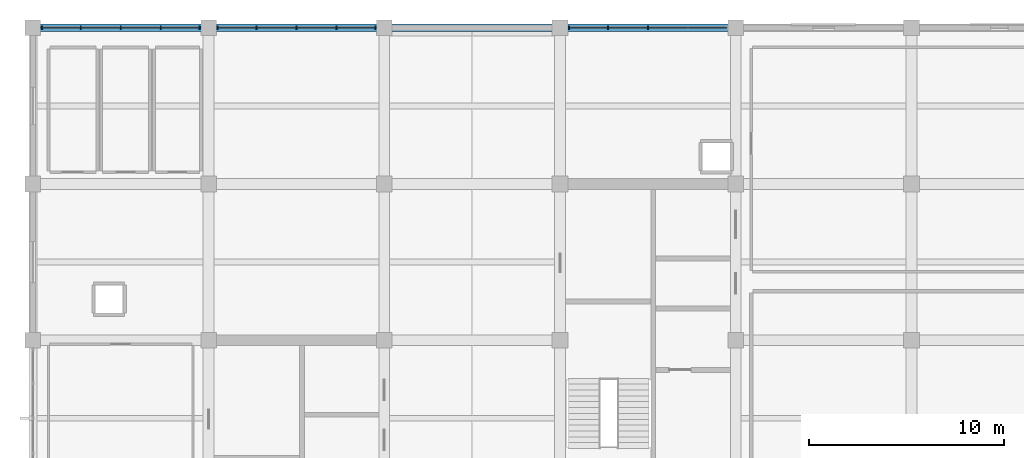
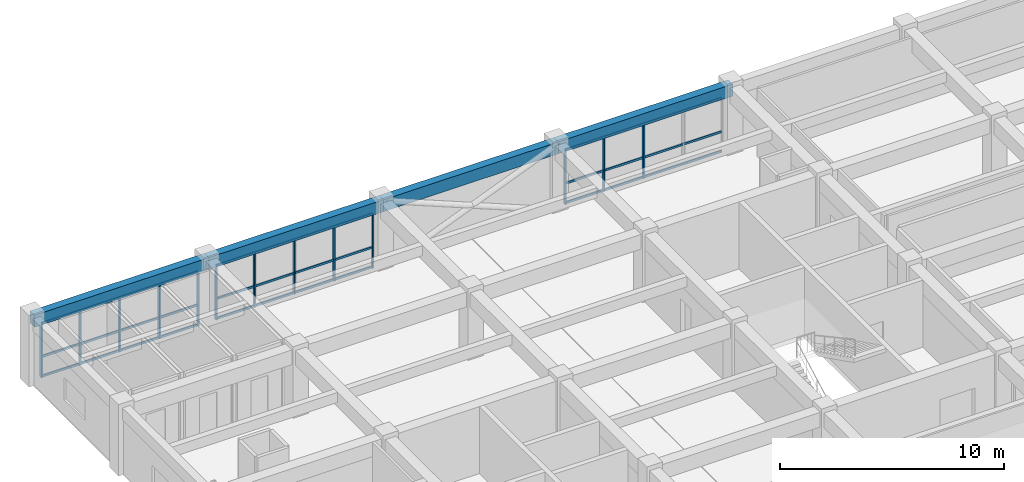
# One storey, part 9 of 16: 22 members, 4 beams, 3 elements without a shape of their own.
"""IFC4 building model written with IfcOpenShell, lengths in metres."""

from ifc_helpers import new_model, si_unit, direction, frame, origin, origin_2d, place, context, subcontext, project, spatial, rectangle, extrude, material, material_profile, profile_set, type_object, element, aggregate, save


model = new_model("IFC4")

# Units and contexts
model_context = context("Model", 3, precision=1e-05, world=origin(), true_north=direction((0.0, 1.0)))
body_context = subcontext(model_context, "Body", "Model", "MODEL_VIEW")
ifc_project = project(units=[si_unit("LENGTHUNIT", "METRE"), si_unit("AREAUNIT", "SQUARE_METRE"), si_unit("VOLUMEUNIT", "CUBIC_METRE"), si_unit("PLANEANGLEUNIT", "RADIAN"), si_unit("MASSUNIT", "GRAM", prefix="KILO")], contexts=[model_context])

# Site, building, storey
site_placement = place(None, origin())
site = spatial("IfcSite", under=ifc_project, at=site_placement, CompositionType="ELEMENT")
building_placement = place(site_placement, origin())
building = spatial("IfcBuilding", under=site, at=building_placement, Name="Zaverband Oceanarium and Marine Research Institute", CompositionType="ELEMENT")
storey_placement = place(building_placement, frame((0.0, 0.0, 37.5)))
storey = spatial("IfcBuildingStorey", under=building, at=storey_placement, Name="L09", CompositionType="ELEMENT", Elevation=37.5)

# Curtain wall, members
ifc_material_1 = material(Name="Thermally broken anodized aluminium and solar-control glass", Category="aluminium")
curtain_wall_type = type_object("IfcCurtainWallType", Name="CW-UNIT-1800", PredefinedType="NOTDEFINED", material=ifc_material_1)
curtain_wall_1_placement = place(storey_placement, origin())
curtain_wall_1 = element("IfcCurtainWall", 1, at=curtain_wall_1_placement, inside=storey, type_object=curtain_wall_type, Name="Unitised glazed curtain wall CW-106", PredefinedType="NOTDEFINED")
ifc_material_2 = material(Name="Thermally broken anodized aluminium", Category="aluminium")
ifc_material_profile_1 = material_profile(ifc_material_2, rectangle(XDim=0.070068359375, YDim=0.14990234375, at=origin_2d()), Name="AL-MUL-70x150")
ifc_profile_set_1 = profile_set([ifc_material_profile_1], Name="Thermally broken anodized aluminium")
member_type_1 = type_object("IfcMemberType", Name="MUL-70x150", PredefinedType="MULLION", material=ifc_profile_set_1)
member_1_placement = place(storey_placement, frame((9.465087890625, 112.0, 0.0), z_axis=(0.0, 0.0, 1.0), x_axis=(1.0, 0.0, 0.0)))
member_1 = element("IfcMember", 2, at=member_1_placement, type_object=member_type_1, Name="Curtain wall vertical mullion MUL-70x150", PredefinedType="MULLION", context=body_context, shape_type="SweptSolid", body=[
    extrude(rectangle(XDim=0.070068359375, YDim=0.14990234375, at=origin_2d()), origin(), (0.0, 0.0, 1.0), 2.97998046875),
])
member_2_placement = place(storey_placement, frame((11.452392578125, 112.0, 0.0), z_axis=(0.0, 0.0, 1.0), x_axis=(1.0, 0.0, 0.0)))
member_2 = element("IfcMember", 3, at=member_2_placement, type_object=member_type_1, Name="Curtain wall vertical mullion MUL-70x150", PredefinedType="MULLION", context=body_context, shape_type="SweptSolid", body=[
    extrude(rectangle(XDim=0.070068359375, YDim=0.14990234375, at=origin_2d()), origin(), (0.0, 0.0, 1.0), 2.97998046875),
])
member_3_placement = place(storey_placement, frame((13.5, 112.0, 0.0), z_axis=(0.0, 0.0, 1.0), x_axis=(1.0, 0.0, 0.0)))
member_3 = element("IfcMember", 4, at=member_3_placement, type_object=member_type_1, Name="Curtain wall vertical mullion MUL-70x150", PredefinedType="MULLION", context=body_context, shape_type="SweptSolid", body=[
    extrude(rectangle(XDim=0.070068359375, YDim=0.14990234375, at=origin_2d()), origin(), (0.0, 0.0, 1.0), 2.97998046875),
])
member_4_placement = place(storey_placement, frame((15.547607421875, 112.0, 0.0), z_axis=(0.0, 0.0, 1.0), x_axis=(1.0, 0.0, 0.0)))
member_4 = element("IfcMember", 5, at=member_4_placement, type_object=member_type_1, Name="Curtain wall vertical mullion MUL-70x150", PredefinedType="MULLION", context=body_context, shape_type="SweptSolid", body=[
    extrude(rectangle(XDim=0.070068359375, YDim=0.14990234375, at=origin_2d()), origin(), (0.0, 0.0, 1.0), 2.97998046875),
])
member_5_placement = place(storey_placement, frame((17.534912109375, 112.0, 0.0), z_axis=(0.0, 0.0, 1.0), x_axis=(1.0, 0.0, 0.0)))
member_5 = element("IfcMember", 6, at=member_5_placement, type_object=member_type_1, Name="Curtain wall vertical mullion MUL-70x150", PredefinedType="MULLION", context=body_context, shape_type="SweptSolid", body=[
    extrude(rectangle(XDim=0.070068359375, YDim=0.14990234375, at=origin_2d()), origin(), (0.0, 0.0, 1.0), 2.97998046875),
])

curtain_wall_2_placement = place(storey_placement, origin())
curtain_wall_2 = element("IfcCurtainWall", 7, at=curtain_wall_2_placement, inside=storey, type_object=curtain_wall_type, Name="Unitised glazed curtain wall CW-107", PredefinedType="NOTDEFINED")
member_6_placement = place(storey_placement, frame((18.465087890625, 112.0, 0.0), z_axis=(0.0, 0.0, 1.0), x_axis=(1.0, 0.0, 0.0)))
member_6 = element("IfcMember", 8, at=member_6_placement, type_object=member_type_1, Name="Curtain wall vertical mullion MUL-70x150", PredefinedType="MULLION", context=body_context, shape_type="SweptSolid", body=[
    extrude(rectangle(XDim=0.070068359375, YDim=0.14990234375, at=origin_2d()), origin(), (0.0, 0.0, 1.0), 2.97998046875),
])
member_7_placement = place(storey_placement, frame((20.452392578125, 112.0, 0.0), z_axis=(0.0, 0.0, 1.0), x_axis=(1.0, 0.0, 0.0)))
member_7 = element("IfcMember", 9, at=member_7_placement, type_object=member_type_1, Name="Curtain wall vertical mullion MUL-70x150", PredefinedType="MULLION", context=body_context, shape_type="SweptSolid", body=[
    extrude(rectangle(XDim=0.070068359375, YDim=0.14990234375, at=origin_2d()), origin(), (0.0, 0.0, 1.0), 2.97998046875),
])
member_8_placement = place(storey_placement, frame((22.5, 112.0, 0.0), z_axis=(0.0, 0.0, 1.0), x_axis=(1.0, 0.0, 0.0)))
member_8 = element("IfcMember", 10, at=member_8_placement, type_object=member_type_1, Name="Curtain wall vertical mullion MUL-70x150", PredefinedType="MULLION", context=body_context, shape_type="SweptSolid", body=[
    extrude(rectangle(XDim=0.070068359375, YDim=0.14990234375, at=origin_2d()), origin(), (0.0, 0.0, 1.0), 2.97998046875),
])
member_9_placement = place(storey_placement, frame((24.547607421875, 112.0, 0.0), z_axis=(0.0, 0.0, 1.0), x_axis=(1.0, 0.0, 0.0)))
member_9 = element("IfcMember", 11, at=member_9_placement, type_object=member_type_1, Name="Curtain wall vertical mullion MUL-70x150", PredefinedType="MULLION", context=body_context, shape_type="SweptSolid", body=[
    extrude(rectangle(XDim=0.070068359375, YDim=0.14990234375, at=origin_2d()), origin(), (0.0, 0.0, 1.0), 2.97998046875),
])
member_10_placement = place(storey_placement, frame((26.534912109375, 112.0, 0.0), z_axis=(0.0, 0.0, 1.0), x_axis=(1.0, 0.0, 0.0)))
member_10 = element("IfcMember", 12, at=member_10_placement, type_object=member_type_1, Name="Curtain wall vertical mullion MUL-70x150", PredefinedType="MULLION", context=body_context, shape_type="SweptSolid", body=[
    extrude(rectangle(XDim=0.070068359375, YDim=0.14990234375, at=origin_2d()), origin(), (0.0, 0.0, 1.0), 2.97998046875),
])

curtain_wall_3_placement = place(storey_placement, origin())
curtain_wall_3 = element("IfcCurtainWall", 13, at=curtain_wall_3_placement, inside=storey, type_object=curtain_wall_type, Name="Unitised glazed curtain wall CW-108", PredefinedType="NOTDEFINED")
member_11_placement = place(storey_placement, frame((36.465087890625, 112.0, 0.0), z_axis=(0.0, 0.0, 1.0), x_axis=(1.0, 0.0, 0.0)))
member_11 = element("IfcMember", 14, at=member_11_placement, type_object=member_type_1, Name="Curtain wall vertical mullion MUL-70x150", PredefinedType="MULLION", context=body_context, shape_type="SweptSolid", body=[
    extrude(rectangle(XDim=0.070068359375, YDim=0.14990234375, at=origin_2d()), origin(), (0.0, 0.0, 1.0), 2.97998046875),
])
member_12_placement = place(storey_placement, frame((38.452392578125, 112.0, 0.0), z_axis=(0.0, 0.0, 1.0), x_axis=(1.0, 0.0, 0.0)))
member_12 = element("IfcMember", 15, at=member_12_placement, type_object=member_type_1, Name="Curtain wall vertical mullion MUL-70x150", PredefinedType="MULLION", context=body_context, shape_type="SweptSolid", body=[
    extrude(rectangle(XDim=0.070068359375, YDim=0.14990234375, at=origin_2d()), origin(), (0.0, 0.0, 1.0), 2.97998046875),
])
member_13_placement = place(storey_placement, frame((40.5, 112.0, 0.0), z_axis=(0.0, 0.0, 1.0), x_axis=(1.0, 0.0, 0.0)))
member_13 = element("IfcMember", 16, at=member_13_placement, type_object=member_type_1, Name="Curtain wall vertical mullion MUL-70x150", PredefinedType="MULLION", context=body_context, shape_type="SweptSolid", body=[
    extrude(rectangle(XDim=0.070068359375, YDim=0.14990234375, at=origin_2d()), origin(), (0.0, 0.0, 1.0), 2.97998046875),
])

# Beams
ifc_material_3 = material(Name="Concrete C40/50", Category="concrete")
ifc_material_profile_2 = material_profile(ifc_material_3, rectangle(XDim=0.39990234375, YDim=0.64990234375, at=origin_2d()), Name="RC400x650")
ifc_profile_set_2 = profile_set([ifc_material_profile_2], Name="Concrete C40/50")
beam_type = type_object("IfcBeamType", Name="SPN-400x650", PredefinedType="SPANDREL", material=ifc_profile_set_2)
for number, where, z_axis, x_axis, name in (
    (17, (9.0, 112.0, 3.324951171875), (1.0, 0.0, 0.0), (0.0, 1.0, 0.0), "Perimeter spandrel beam SPN-400x650"),
    (18, (18.0, 112.0, 3.324951171875), (1.0, 0.0, 0.0), (0.0, 1.0, 0.0), "Perimeter spandrel beam SPN-400x650"),
    (19, (27.0, 112.0, 3.324951171875), (1.0, 0.0, 0.0), (0.0, 1.0, 0.0), "Perimeter spandrel beam SPN-400x650"),
    (20, (36.0, 112.0, 3.324951171875), (1.0, 0.0, 0.0), (0.0, 1.0, 0.0), "Perimeter spandrel beam SPN-400x650"),
):
    element("IfcBeam", number, at=place(storey_placement, frame(where, z_axis=z_axis, x_axis=x_axis)), inside=storey, type_object=beam_type, Name=name, PredefinedType="SPANDREL", context=body_context, shape_type="SweptSolid", body=[
        extrude(rectangle(XDim=0.39990234375, YDim=0.64990234375, at=origin_2d()), origin(), (0.0, 0.0, 1.0), 9.0),
    ])

# Member
ifc_material_profile_3 = material_profile(ifc_material_2, rectangle(XDim=0.070068359375, YDim=0.114990234375, at=origin_2d()), Name="AL-TRN-70x115")
ifc_profile_set_3 = profile_set([ifc_material_profile_3], Name="Thermally broken anodized aluminium")
member_type_2 = type_object("IfcMemberType", Name="TRN-70x115", PredefinedType="USERDEFINED", material=ifc_profile_set_3)
member_14_placement = place(storey_placement, frame((9.465087890625, 112.0, 0.050048828125), z_axis=(1.0, 0.0, 0.0), x_axis=(0.0, 1.0, 0.0)))
member_14 = element("IfcMember", 21, at=member_14_placement, type_object=member_type_2, Name="Curtain wall horizontal transom TRN-70x115", ObjectType="TRANSOM", PredefinedType="USERDEFINED", context=body_context, shape_type="SweptSolid", body=[
    extrude(rectangle(XDim=0.070068359375, YDim=0.114990234375, at=origin_2d()), origin(), (0.0, 0.0, 1.0), 8.06982421875),
])

member_15_placement = place(storey_placement, frame((9.465087890625, 112.0, 1.123046875), z_axis=(1.0, 0.0, 0.0), x_axis=(0.0, 1.0, 0.0)))
member_15 = element("IfcMember", 22, at=member_15_placement, type_object=member_type_2, Name="Curtain wall horizontal transom TRN-70x115", ObjectType="TRANSOM", PredefinedType="USERDEFINED", context=body_context, shape_type="SweptSolid", body=[
    extrude(rectangle(XDim=0.070068359375, YDim=0.114990234375, at=origin_2d()), origin(), (0.0, 0.0, 1.0), 8.06982421875),
])

member_16_placement = place(storey_placement, frame((9.465087890625, 112.0, 2.929931640625), z_axis=(1.0, 0.0, 0.0), x_axis=(0.0, 1.0, 0.0)))
member_16 = element("IfcMember", 23, at=member_16_placement, type_object=member_type_2, Name="Curtain wall horizontal transom TRN-70x115", ObjectType="TRANSOM", PredefinedType="USERDEFINED", context=body_context, shape_type="SweptSolid", body=[
    extrude(rectangle(XDim=0.070068359375, YDim=0.114990234375, at=origin_2d()), origin(), (0.0, 0.0, 1.0), 8.06982421875),
])

aggregate(curtain_wall_1, [member_1, member_2, member_3, member_4, member_5, member_14, member_15, member_16])

member_17_placement = place(storey_placement, frame((18.465087890625, 112.0, 0.050048828125), z_axis=(1.0, 0.0, 0.0), x_axis=(0.0, 1.0, 0.0)))
member_17 = element("IfcMember", 24, at=member_17_placement, type_object=member_type_2, Name="Curtain wall horizontal transom TRN-70x115", ObjectType="TRANSOM", PredefinedType="USERDEFINED", context=body_context, shape_type="SweptSolid", body=[
    extrude(rectangle(XDim=0.070068359375, YDim=0.114990234375, at=origin_2d()), origin(), (0.0, 0.0, 1.0), 8.06982421875),
])

member_18_placement = place(storey_placement, frame((18.465087890625, 112.0, 1.123046875), z_axis=(1.0, 0.0, 0.0), x_axis=(0.0, 1.0, 0.0)))
member_18 = element("IfcMember", 25, at=member_18_placement, type_object=member_type_2, Name="Curtain wall horizontal transom TRN-70x115", ObjectType="TRANSOM", PredefinedType="USERDEFINED", context=body_context, shape_type="SweptSolid", body=[
    extrude(rectangle(XDim=0.070068359375, YDim=0.114990234375, at=origin_2d()), origin(), (0.0, 0.0, 1.0), 8.06982421875),
])

member_19_placement = place(storey_placement, frame((18.465087890625, 112.0, 2.929931640625), z_axis=(1.0, 0.0, 0.0), x_axis=(0.0, 1.0, 0.0)))
member_19 = element("IfcMember", 26, at=member_19_placement, type_object=member_type_2, Name="Curtain wall horizontal transom TRN-70x115", ObjectType="TRANSOM", PredefinedType="USERDEFINED", context=body_context, shape_type="SweptSolid", body=[
    extrude(rectangle(XDim=0.070068359375, YDim=0.114990234375, at=origin_2d()), origin(), (0.0, 0.0, 1.0), 8.06982421875),
])

aggregate(curtain_wall_2, [member_6, member_7, member_8, member_9, member_10, member_17, member_18, member_19])

member_20_placement = place(storey_placement, frame((36.465087890625, 112.0, 0.050048828125), z_axis=(1.0, 0.0, 0.0), x_axis=(0.0, 1.0, 0.0)))
member_20 = element("IfcMember", 27, at=member_20_placement, type_object=member_type_2, Name="Curtain wall horizontal transom TRN-70x115", ObjectType="TRANSOM", PredefinedType="USERDEFINED", context=body_context, shape_type="SweptSolid", body=[
    extrude(rectangle(XDim=0.070068359375, YDim=0.114990234375, at=origin_2d()), origin(), (0.0, 0.0, 1.0), 8.06982421875),
])

member_21_placement = place(storey_placement, frame((36.465087890625, 112.0, 1.123046875), z_axis=(1.0, 0.0, 0.0), x_axis=(0.0, 1.0, 0.0)))
member_21 = element("IfcMember", 28, at=member_21_placement, type_object=member_type_2, Name="Curtain wall horizontal transom TRN-70x115", ObjectType="TRANSOM", PredefinedType="USERDEFINED", context=body_context, shape_type="SweptSolid", body=[
    extrude(rectangle(XDim=0.070068359375, YDim=0.114990234375, at=origin_2d()), origin(), (0.0, 0.0, 1.0), 8.06982421875),
])

member_22_placement = place(storey_placement, frame((36.465087890625, 112.0, 2.929931640625), z_axis=(1.0, 0.0, 0.0), x_axis=(0.0, 1.0, 0.0)))
member_22 = element("IfcMember", 29, at=member_22_placement, type_object=member_type_2, Name="Curtain wall horizontal transom TRN-70x115", ObjectType="TRANSOM", PredefinedType="USERDEFINED", context=body_context, shape_type="SweptSolid", body=[
    extrude(rectangle(XDim=0.070068359375, YDim=0.114990234375, at=origin_2d()), origin(), (0.0, 0.0, 1.0), 8.06982421875),
])

aggregate(curtain_wall_3, [member_11, member_12, member_13, member_20, member_21, member_22])

save(model, "model.ifc")
